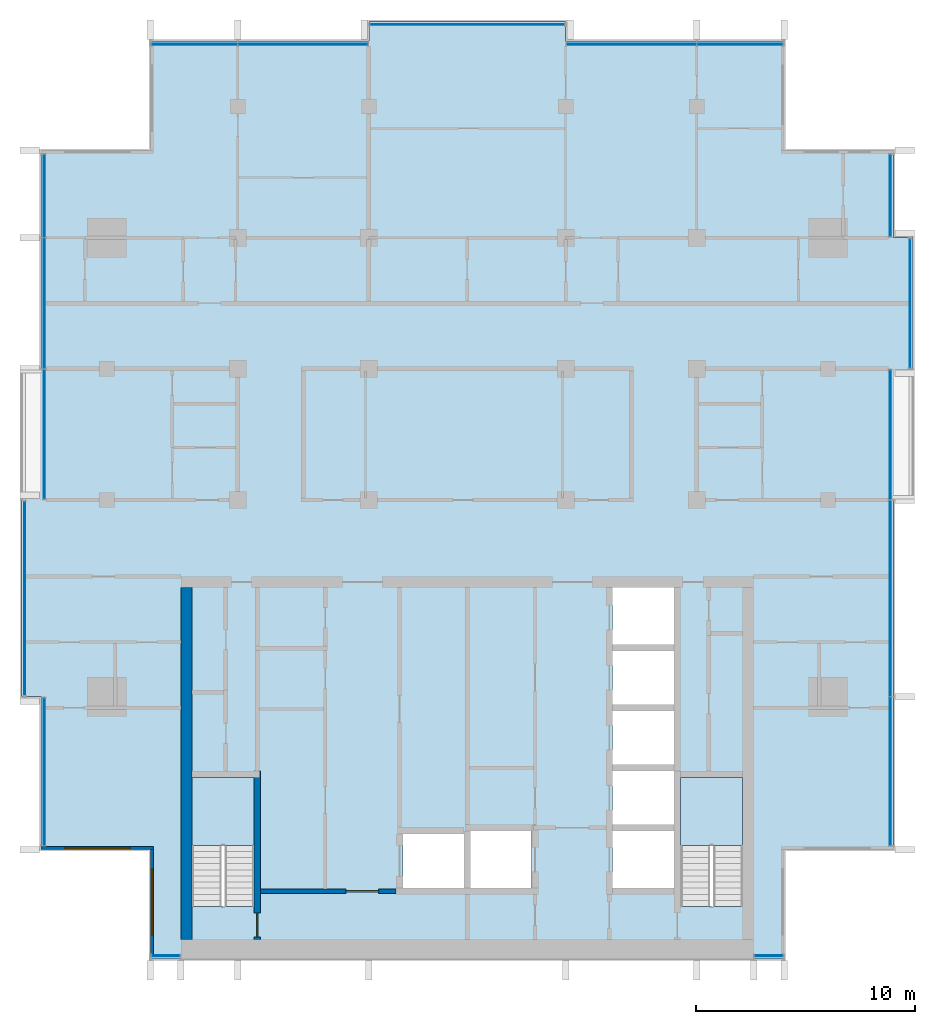
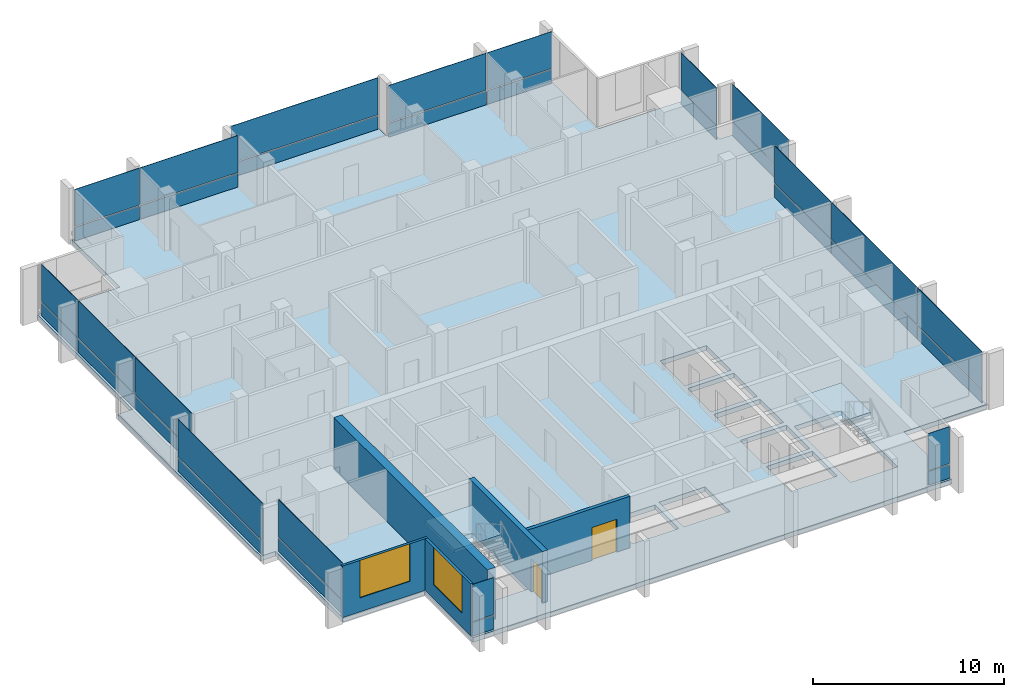
# One storey, part 6 of 16: 34 plates, 5 walls, 3 slabs, 2 doors, 2 windows, 4 openings, 13 elements without a shape of their own.
"""IFC4 building model written with IfcOpenShell, lengths in metres."""

from ifc_helpers import new_model, si_unit, direction, frame, frame_2d, origin, origin_2d, place, context, subcontext, project, spatial, polyline, rectangle, outline, extrude, material, layer, layer_set, type_object, element, fill, aggregate, save


model = new_model("IFC4")

# Units and contexts
model_context = context("Model", 3, precision=1e-05, world=origin(), true_north=direction((0.0, 1.0)))
body_context = subcontext(model_context, "Body", "Model", "MODEL_VIEW")
ifc_project = project(units=[si_unit("LENGTHUNIT", "METRE"), si_unit("AREAUNIT", "SQUARE_METRE"), si_unit("VOLUMEUNIT", "CUBIC_METRE"), si_unit("PLANEANGLEUNIT", "RADIAN"), si_unit("MASSUNIT", "GRAM", prefix="KILO")], contexts=[model_context])

# Site, building, storey
site_placement = place(None, origin())
site = spatial("IfcSite", under=ifc_project, at=site_placement, CompositionType="ELEMENT")
building_placement = place(site_placement, origin())
building = spatial("IfcBuilding", under=site, at=building_placement, Name="Finial Court Residences", CompositionType="ELEMENT")
storey_placement = place(building_placement, frame((0.0, 0.0, 287.89990234375)))
storey = spatial("IfcBuildingStorey", under=building, at=storey_placement, Name="L73", CompositionType="ELEMENT", Elevation=287.89990234375)

# Curtain wall, plates
ifc_material_1 = material(Name="Bronze anodised aluminium", Category="aluminium")
curtain_wall_type = type_object("IfcCurtainWallType", Name="Unitised curtain wall, upper zones", PredefinedType="NOTDEFINED", material=ifc_material_1)
curtain_wall_1_placement = place(storey_placement, origin())
curtain_wall_1 = element("IfcCurtainWall", 1, at=curtain_wall_1_placement, inside=storey, type_object=curtain_wall_type, Name="E-L73-CW-N1", PredefinedType="NOTDEFINED")
ifc_layer_1 = layer(ifc_material_1, 0.035888671875)
ifc_layer_set_1 = layer_set([ifc_layer_1], Name="CW2 spandrel panel 36")
plate_type_1 = type_object("IfcPlateType", Name="CW2 spandrel panel 36", PredefinedType="CURTAIN_PANEL", material=ifc_layer_set_1)
plate_1_placement = place(storey_placement, frame((-12.485107421875, 16.35009765625, 0.0), z_axis=(0.0, 0.0, 1.0), x_axis=(1.0, 0.0, 0.0)))
plate_1 = element("IfcPlate", 2, at=plate_1_placement, type_object=plate_type_1, Name="CW2 spandrel 1.1", PredefinedType="CURTAIN_PANEL", context=body_context, shape_type="SweptSolid", body=[
    extrude(rectangle(XDim=3.909912109375, YDim=0.035888671875, at=origin_2d()), origin(), (0.0, 0.0, 1.0), 0.8701171875),
])
plate_2_placement = place(storey_placement, frame((-7.514892578125, 16.35009765625, 0.0), z_axis=(0.0, 0.0, 1.0), x_axis=(1.0, 0.0, 0.0)))
plate_2 = element("IfcPlate", 3, at=plate_2_placement, type_object=plate_type_1, Name="CW2 spandrel 2.1", PredefinedType="CURTAIN_PANEL", context=body_context, shape_type="SweptSolid", body=[
    extrude(rectangle(XDim=5.909912109375, YDim=0.035888671875, at=origin_2d()), origin(), (0.0, 0.0, 1.0), 0.8701171875),
])

# Curtain wall, plate
curtain_wall_2_placement = place(storey_placement, origin())
curtain_wall_2 = element("IfcCurtainWall", 4, at=curtain_wall_2_placement, inside=storey, type_object=curtain_wall_type, Name="E-L73-CW-N2", PredefinedType="NOTDEFINED")
plate_3_placement = place(storey_placement, frame((0.0, 17.25, 0.0), z_axis=(0.0, 0.0, 1.0), x_axis=(1.0, 0.0, 0.0)))
plate_3 = element("IfcPlate", 5, at=plate_3_placement, type_object=plate_type_1, Name="CW2 spandrel 1.1", PredefinedType="CURTAIN_PANEL", context=body_context, shape_type="SweptSolid", body=[
    extrude(rectangle(XDim=8.8798828125, YDim=0.035888671875, at=origin_2d()), origin(), (0.0, 0.0, 1.0), 0.8701171875),
])

# Curtain wall, plates
curtain_wall_3_placement = place(storey_placement, origin())
curtain_wall_3 = element("IfcCurtainWall", 6, at=curtain_wall_3_placement, inside=storey, type_object=curtain_wall_type, Name="E-L73-CW-N3", PredefinedType="NOTDEFINED")
plate_4_placement = place(storey_placement, frame((7.514892578125, 16.35009765625, 0.0), z_axis=(0.0, 0.0, 1.0), x_axis=(1.0, 0.0, 0.0)))
plate_4 = element("IfcPlate", 7, at=plate_4_placement, type_object=plate_type_1, Name="CW2 spandrel 1.1", PredefinedType="CURTAIN_PANEL", context=body_context, shape_type="SweptSolid", body=[
    extrude(rectangle(XDim=5.909912109375, YDim=0.035888671875, at=origin_2d()), origin(), (0.0, 0.0, 1.0), 0.8701171875),
])
plate_5_placement = place(storey_placement, frame((12.485107421875, 16.35009765625, 0.0), z_axis=(0.0, 0.0, 1.0), x_axis=(1.0, 0.0, 0.0)))
plate_5 = element("IfcPlate", 8, at=plate_5_placement, type_object=plate_type_1, Name="CW2 spandrel 2.1", PredefinedType="CURTAIN_PANEL", context=body_context, shape_type="SweptSolid", body=[
    extrude(rectangle(XDim=3.909912109375, YDim=0.035888671875, at=origin_2d()), origin(), (0.0, 0.0, 1.0), 0.8701171875),
])

curtain_wall_4_placement = place(storey_placement, origin())
curtain_wall_4 = element("IfcCurtainWall", 9, at=curtain_wall_4_placement, inside=storey, type_object=curtain_wall_type, Name="E-L73-CW-E4", PredefinedType="NOTDEFINED")
plate_6_placement = place(storey_placement, frame((19.35009765625, -16.909912109375, 0.0), z_axis=(0.0, 0.0, 1.0), x_axis=(0.0, 1.0, 0.0)))
plate_6 = element("IfcPlate", 10, at=plate_6_placement, type_object=plate_type_1, Name="CW2 spandrel 1.1", PredefinedType="CURTAIN_PANEL", context=body_context, shape_type="SweptSolid", body=[
    extrude(rectangle(XDim=6.760009765625, YDim=0.035888671875, at=origin_2d()), origin(), (0.0, 0.0, 1.0), 0.8701171875),
])
plate_7_placement = place(storey_placement, frame((19.35009765625, -9.0, 0.0), z_axis=(0.0, 0.0, 1.0), x_axis=(0.0, 1.0, 0.0)))
plate_7 = element("IfcPlate", 11, at=plate_7_placement, type_object=plate_type_1, Name="CW2 spandrel 2.1", PredefinedType="CURTAIN_PANEL", context=body_context, shape_type="SweptSolid", body=[
    extrude(rectangle(XDim=8.93994140625, YDim=0.035888671875, at=origin_2d()), origin(), (0.0, 0.0, 1.0), 0.8701171875),
])
plate_8_placement = place(storey_placement, frame((19.35009765625, -1.514892578125, 0.0), z_axis=(0.0, 0.0, 1.0), x_axis=(0.0, 1.0, 0.0)))
plate_8 = element("IfcPlate", 12, at=plate_8_placement, type_object=plate_type_1, Name="CW2 spandrel 3.1", PredefinedType="CURTAIN_PANEL", context=body_context, shape_type="SweptSolid", body=[
    extrude(rectangle(XDim=5.909912109375, YDim=0.035888671875, at=origin_2d()), origin(), (0.0, 0.0, 1.0), 0.8701171875),
])

# Curtain wall, plate
curtain_wall_5_placement = place(storey_placement, origin())
curtain_wall_5 = element("IfcCurtainWall", 13, at=curtain_wall_5_placement, inside=storey, type_object=curtain_wall_type, Name="E-L73-CW-E5", PredefinedType="NOTDEFINED")
plate_9_placement = place(storey_placement, frame((20.25, 4.5, 0.0), z_axis=(0.0, 0.0, 1.0), x_axis=(0.0, 1.0, 0.0)))
plate_9 = element("IfcPlate", 14, at=plate_9_placement, type_object=plate_type_1, Name="CW2 spandrel 1.1", PredefinedType="CURTAIN_PANEL", context=body_context, shape_type="SweptSolid", body=[
    extrude(rectangle(XDim=5.8798828125, YDim=0.035888671875, at=origin_2d()), origin(), (0.0, 0.0, 1.0), 0.8701171875),
])

curtain_wall_6_placement = place(storey_placement, origin())
curtain_wall_6 = element("IfcCurtainWall", 15, at=curtain_wall_6_placement, inside=storey, type_object=curtain_wall_type, Name="E-L73-CW-E6", PredefinedType="NOTDEFINED")
plate_10_placement = place(storey_placement, frame((19.35009765625, 9.425048828125, 0.0), z_axis=(0.0, 0.0, 1.0), x_axis=(0.0, 1.0, 0.0)))
plate_10 = element("IfcPlate", 16, at=plate_10_placement, type_object=plate_type_1, Name="CW2 spandrel 1.1", PredefinedType="CURTAIN_PANEL", context=body_context, shape_type="SweptSolid", body=[
    extrude(rectangle(XDim=3.72998046875, YDim=0.035888671875, at=origin_2d()), origin(), (0.0, 0.0, 1.0), 0.8701171875),
])

curtain_wall_7_placement = place(storey_placement, origin())
curtain_wall_7 = element("IfcCurtainWall", 17, at=curtain_wall_7_placement, inside=storey, type_object=curtain_wall_type, Name="E-L73-CW-S7", PredefinedType="NOTDEFINED")
plate_11_placement = place(storey_placement, frame((-13.800048828125, -25.35009765625, 0.0), z_axis=(0.0, 0.0, 1.0), x_axis=(1.0, 0.0, 0.0)))
plate_11 = element("IfcPlate", 18, at=plate_11_placement, type_object=plate_type_1, Name="CW2 spandrel 1.1", PredefinedType="CURTAIN_PANEL", context=body_context, shape_type="SweptSolid", body=[
    extrude(rectangle(XDim=1.280029296875, YDim=0.035888671875, at=origin_2d()), origin(), (0.0, 0.0, 1.0), 0.8701171875),
])

curtain_wall_8_placement = place(storey_placement, origin())
curtain_wall_8 = element("IfcCurtainWall", 19, at=curtain_wall_8_placement, inside=storey, type_object=curtain_wall_type, Name="E-L73-CW-S8", PredefinedType="NOTDEFINED")
plate_12_placement = place(storey_placement, frame((13.800048828125, -25.35009765625, 0.0), z_axis=(0.0, 0.0, 1.0), x_axis=(1.0, 0.0, 0.0)))
plate_12 = element("IfcPlate", 20, at=plate_12_placement, type_object=plate_type_1, Name="CW2 spandrel 1.1", PredefinedType="CURTAIN_PANEL", context=body_context, shape_type="SweptSolid", body=[
    extrude(rectangle(XDim=1.280029296875, YDim=0.035888671875, at=origin_2d()), origin(), (0.0, 0.0, 1.0), 0.8701171875),
])

curtain_wall_9_placement = place(storey_placement, origin())
curtain_wall_9 = element("IfcCurtainWall", 21, at=curtain_wall_9_placement, inside=storey, type_object=curtain_wall_type, Name="E-L73-CW-W9", PredefinedType="NOTDEFINED")
plate_13_placement = place(storey_placement, frame((-19.35009765625, -16.925048828125, 0.0), z_axis=(0.0, 0.0, 1.0), x_axis=(0.0, 1.0, 0.0)))
plate_13 = element("IfcPlate", 22, at=plate_13_placement, type_object=plate_type_1, Name="CW2 spandrel 1.1", PredefinedType="CURTAIN_PANEL", context=body_context, shape_type="SweptSolid", body=[
    extrude(rectangle(XDim=6.72998046875, YDim=0.035888671875, at=origin_2d()), origin(), (0.0, 0.0, 1.0), 0.8701171875),
])

curtain_wall_10_placement = place(storey_placement, origin())
curtain_wall_10 = element("IfcCurtainWall", 23, at=curtain_wall_10_placement, inside=storey, type_object=curtain_wall_type, Name="E-L73-CW-W10", PredefinedType="NOTDEFINED")
plate_14_placement = place(storey_placement, frame((-20.25, -9.0, 0.0), z_axis=(0.0, 0.0, 1.0), x_axis=(0.0, 1.0, 0.0)))
plate_14 = element("IfcPlate", 24, at=plate_14_placement, type_object=plate_type_1, Name="CW2 spandrel 1.1", PredefinedType="CURTAIN_PANEL", context=body_context, shape_type="SweptSolid", body=[
    extrude(rectangle(XDim=8.8798828125, YDim=0.035888671875, at=origin_2d()), origin(), (0.0, 0.0, 1.0), 0.8701171875),
])

# Curtain wall, plates
curtain_wall_11_placement = place(storey_placement, origin())
curtain_wall_11 = element("IfcCurtainWall", 25, at=curtain_wall_11_placement, inside=storey, type_object=curtain_wall_type, Name="E-L73-CW-W11", PredefinedType="NOTDEFINED")
plate_15_placement = place(storey_placement, frame((-19.35009765625, -1.485107421875, 0.0), z_axis=(0.0, 0.0, 1.0), x_axis=(0.0, 1.0, 0.0)))
plate_15 = element("IfcPlate", 26, at=plate_15_placement, type_object=plate_type_1, Name="CW2 spandrel 1.1", PredefinedType="CURTAIN_PANEL", context=body_context, shape_type="SweptSolid", body=[
    extrude(rectangle(XDim=5.909912109375, YDim=0.035888671875, at=origin_2d()), origin(), (0.0, 0.0, 1.0), 0.8701171875),
])
plate_16_placement = place(storey_placement, frame((-19.35009765625, 4.5, 0.0), z_axis=(0.0, 0.0, 1.0), x_axis=(0.0, 1.0, 0.0)))
plate_16 = element("IfcPlate", 27, at=plate_16_placement, type_object=plate_type_1, Name="CW2 spandrel 2.1", PredefinedType="CURTAIN_PANEL", context=body_context, shape_type="SweptSolid", body=[
    extrude(rectangle(XDim=5.93994140625, YDim=0.035888671875, at=origin_2d()), origin(), (0.0, 0.0, 1.0), 0.8701171875),
])
plate_17_placement = place(storey_placement, frame((-19.35009765625, 9.409912109375, 0.0), z_axis=(0.0, 0.0, 1.0), x_axis=(0.0, 1.0, 0.0)))
plate_17 = element("IfcPlate", 28, at=plate_17_placement, type_object=plate_type_1, Name="CW2 spandrel 3.1", PredefinedType="CURTAIN_PANEL", context=body_context, shape_type="SweptSolid", body=[
    extrude(rectangle(XDim=3.760009765625, YDim=0.035888671875, at=origin_2d()), origin(), (0.0, 0.0, 1.0), 0.8701171875),
])

# Plate
ifc_material_2 = material(Name="Clear low-e glass", Category="glass")
ifc_layer_2 = layer(ifc_material_2, 0.030029296875)
ifc_layer_set_2 = layer_set([ifc_layer_2], Name="CW2 vision glass 30")
plate_type_2 = type_object("IfcPlateType", Name="CW2 vision glass 30", PredefinedType="CURTAIN_PANEL", material=ifc_layer_set_2)
plate_18_placement = place(storey_placement, frame((-12.485107421875, 16.35009765625, 0.929931640625), z_axis=(0.0, 0.0, 1.0), x_axis=(1.0, 0.0, 0.0)))
plate_18 = element("IfcPlate", 29, at=plate_18_placement, type_object=plate_type_2, Name="CW2 glass 1.2", PredefinedType="CURTAIN_PANEL", context=body_context, shape_type="SweptSolid", body=[
    extrude(rectangle(XDim=3.909912109375, YDim=0.030029296875, at=origin_2d()), origin(), (0.0, 0.0, 1.0), 2.3701171875),
])

plate_19_placement = place(storey_placement, frame((-7.514892578125, 16.35009765625, 0.929931640625), z_axis=(0.0, 0.0, 1.0), x_axis=(1.0, 0.0, 0.0)))
plate_19 = element("IfcPlate", 30, at=plate_19_placement, type_object=plate_type_2, Name="CW2 glass 2.2", PredefinedType="CURTAIN_PANEL", context=body_context, shape_type="SweptSolid", body=[
    extrude(rectangle(XDim=5.909912109375, YDim=0.030029296875, at=origin_2d()), origin(), (0.0, 0.0, 1.0), 2.3701171875),
])

aggregate(curtain_wall_1, [plate_1, plate_18, plate_2, plate_19])

plate_20_placement = place(storey_placement, frame((0.0, 17.25, 0.929931640625), z_axis=(0.0, 0.0, 1.0), x_axis=(1.0, 0.0, 0.0)))
plate_20 = element("IfcPlate", 31, at=plate_20_placement, type_object=plate_type_2, Name="CW2 glass 1.2", PredefinedType="CURTAIN_PANEL", context=body_context, shape_type="SweptSolid", body=[
    extrude(rectangle(XDim=8.8798828125, YDim=0.030029296875, at=origin_2d()), origin(), (0.0, 0.0, 1.0), 2.3701171875),
])

aggregate(curtain_wall_2, [plate_3, plate_20])

plate_21_placement = place(storey_placement, frame((7.514892578125, 16.35009765625, 0.929931640625), z_axis=(0.0, 0.0, 1.0), x_axis=(1.0, 0.0, 0.0)))
plate_21 = element("IfcPlate", 32, at=plate_21_placement, type_object=plate_type_2, Name="CW2 glass 1.2", PredefinedType="CURTAIN_PANEL", context=body_context, shape_type="SweptSolid", body=[
    extrude(rectangle(XDim=5.909912109375, YDim=0.030029296875, at=origin_2d()), origin(), (0.0, 0.0, 1.0), 2.3701171875),
])

plate_22_placement = place(storey_placement, frame((12.485107421875, 16.35009765625, 0.929931640625), z_axis=(0.0, 0.0, 1.0), x_axis=(1.0, 0.0, 0.0)))
plate_22 = element("IfcPlate", 33, at=plate_22_placement, type_object=plate_type_2, Name="CW2 glass 2.2", PredefinedType="CURTAIN_PANEL", context=body_context, shape_type="SweptSolid", body=[
    extrude(rectangle(XDim=3.909912109375, YDim=0.030029296875, at=origin_2d()), origin(), (0.0, 0.0, 1.0), 2.3701171875),
])

aggregate(curtain_wall_3, [plate_4, plate_21, plate_5, plate_22])

plate_23_placement = place(storey_placement, frame((19.35009765625, -16.909912109375, 0.929931640625), z_axis=(0.0, 0.0, 1.0), x_axis=(0.0, 1.0, 0.0)))
plate_23 = element("IfcPlate", 34, at=plate_23_placement, type_object=plate_type_2, Name="CW2 glass 1.2", PredefinedType="CURTAIN_PANEL", context=body_context, shape_type="SweptSolid", body=[
    extrude(rectangle(XDim=6.760009765625, YDim=0.030029296875, at=origin_2d()), origin(), (0.0, 0.0, 1.0), 2.3701171875),
])

plate_24_placement = place(storey_placement, frame((19.35009765625, -9.0, 0.929931640625), z_axis=(0.0, 0.0, 1.0), x_axis=(0.0, 1.0, 0.0)))
plate_24 = element("IfcPlate", 35, at=plate_24_placement, type_object=plate_type_2, Name="CW2 glass 2.2", PredefinedType="CURTAIN_PANEL", context=body_context, shape_type="SweptSolid", body=[
    extrude(rectangle(XDim=8.93994140625, YDim=0.030029296875, at=origin_2d()), origin(), (0.0, 0.0, 1.0), 2.3701171875),
])

plate_25_placement = place(storey_placement, frame((19.35009765625, -1.514892578125, 0.929931640625), z_axis=(0.0, 0.0, 1.0), x_axis=(0.0, 1.0, 0.0)))
plate_25 = element("IfcPlate", 36, at=plate_25_placement, type_object=plate_type_2, Name="CW2 glass 3.2", PredefinedType="CURTAIN_PANEL", context=body_context, shape_type="SweptSolid", body=[
    extrude(rectangle(XDim=5.909912109375, YDim=0.030029296875, at=origin_2d()), origin(), (0.0, 0.0, 1.0), 2.3701171875),
])

aggregate(curtain_wall_4, [plate_6, plate_23, plate_7, plate_24, plate_8, plate_25])

plate_26_placement = place(storey_placement, frame((20.25, 4.5, 0.929931640625), z_axis=(0.0, 0.0, 1.0), x_axis=(0.0, 1.0, 0.0)))
plate_26 = element("IfcPlate", 37, at=plate_26_placement, type_object=plate_type_2, Name="CW2 glass 1.2", PredefinedType="CURTAIN_PANEL", context=body_context, shape_type="SweptSolid", body=[
    extrude(rectangle(XDim=5.8798828125, YDim=0.030029296875, at=origin_2d()), origin(), (0.0, 0.0, 1.0), 2.3701171875),
])

aggregate(curtain_wall_5, [plate_9, plate_26])

plate_27_placement = place(storey_placement, frame((19.35009765625, 9.425048828125, 0.929931640625), z_axis=(0.0, 0.0, 1.0), x_axis=(0.0, 1.0, 0.0)))
plate_27 = element("IfcPlate", 38, at=plate_27_placement, type_object=plate_type_2, Name="CW2 glass 1.2", PredefinedType="CURTAIN_PANEL", context=body_context, shape_type="SweptSolid", body=[
    extrude(rectangle(XDim=3.72998046875, YDim=0.030029296875, at=origin_2d()), origin(), (0.0, 0.0, 1.0), 2.3701171875),
])

aggregate(curtain_wall_6, [plate_10, plate_27])

plate_28_placement = place(storey_placement, frame((-13.800048828125, -25.35009765625, 0.929931640625), z_axis=(0.0, 0.0, 1.0), x_axis=(1.0, 0.0, 0.0)))
plate_28 = element("IfcPlate", 39, at=plate_28_placement, type_object=plate_type_2, Name="CW2 glass 1.2", PredefinedType="CURTAIN_PANEL", context=body_context, shape_type="SweptSolid", body=[
    extrude(rectangle(XDim=1.280029296875, YDim=0.030029296875, at=origin_2d()), origin(), (0.0, 0.0, 1.0), 2.3701171875),
])

aggregate(curtain_wall_7, [plate_11, plate_28])

plate_29_placement = place(storey_placement, frame((13.800048828125, -25.35009765625, 0.929931640625), z_axis=(0.0, 0.0, 1.0), x_axis=(1.0, 0.0, 0.0)))
plate_29 = element("IfcPlate", 40, at=plate_29_placement, type_object=plate_type_2, Name="CW2 glass 1.2", PredefinedType="CURTAIN_PANEL", context=body_context, shape_type="SweptSolid", body=[
    extrude(rectangle(XDim=1.280029296875, YDim=0.030029296875, at=origin_2d()), origin(), (0.0, 0.0, 1.0), 2.3701171875),
])

aggregate(curtain_wall_8, [plate_12, plate_29])

plate_30_placement = place(storey_placement, frame((-19.35009765625, -16.925048828125, 0.929931640625), z_axis=(0.0, 0.0, 1.0), x_axis=(0.0, 1.0, 0.0)))
plate_30 = element("IfcPlate", 41, at=plate_30_placement, type_object=plate_type_2, Name="CW2 glass 1.2", PredefinedType="CURTAIN_PANEL", context=body_context, shape_type="SweptSolid", body=[
    extrude(rectangle(XDim=6.72998046875, YDim=0.030029296875, at=origin_2d()), origin(), (0.0, 0.0, 1.0), 2.3701171875),
])

aggregate(curtain_wall_9, [plate_13, plate_30])

plate_31_placement = place(storey_placement, frame((-20.25, -9.0, 0.929931640625), z_axis=(0.0, 0.0, 1.0), x_axis=(0.0, 1.0, 0.0)))
plate_31 = element("IfcPlate", 42, at=plate_31_placement, type_object=plate_type_2, Name="CW2 glass 1.2", PredefinedType="CURTAIN_PANEL", context=body_context, shape_type="SweptSolid", body=[
    extrude(rectangle(XDim=8.8798828125, YDim=0.030029296875, at=origin_2d()), origin(), (0.0, 0.0, 1.0), 2.3701171875),
])

aggregate(curtain_wall_10, [plate_14, plate_31])

plate_32_placement = place(storey_placement, frame((-19.35009765625, -1.485107421875, 0.929931640625), z_axis=(0.0, 0.0, 1.0), x_axis=(0.0, 1.0, 0.0)))
plate_32 = element("IfcPlate", 43, at=plate_32_placement, type_object=plate_type_2, Name="CW2 glass 1.2", PredefinedType="CURTAIN_PANEL", context=body_context, shape_type="SweptSolid", body=[
    extrude(rectangle(XDim=5.909912109375, YDim=0.030029296875, at=origin_2d()), origin(), (0.0, 0.0, 1.0), 2.3701171875),
])

plate_33_placement = place(storey_placement, frame((-19.35009765625, 4.5, 0.929931640625), z_axis=(0.0, 0.0, 1.0), x_axis=(0.0, 1.0, 0.0)))
plate_33 = element("IfcPlate", 44, at=plate_33_placement, type_object=plate_type_2, Name="CW2 glass 2.2", PredefinedType="CURTAIN_PANEL", context=body_context, shape_type="SweptSolid", body=[
    extrude(rectangle(XDim=5.93994140625, YDim=0.030029296875, at=origin_2d()), origin(), (0.0, 0.0, 1.0), 2.3701171875),
])

plate_34_placement = place(storey_placement, frame((-19.35009765625, 9.409912109375, 0.929931640625), z_axis=(0.0, 0.0, 1.0), x_axis=(0.0, 1.0, 0.0)))
plate_34 = element("IfcPlate", 45, at=plate_34_placement, type_object=plate_type_2, Name="CW2 glass 3.2", PredefinedType="CURTAIN_PANEL", context=body_context, shape_type="SweptSolid", body=[
    extrude(rectangle(XDim=3.760009765625, YDim=0.030029296875, at=origin_2d()), origin(), (0.0, 0.0, 1.0), 2.3701171875),
])

aggregate(curtain_wall_11, [plate_15, plate_32, plate_16, plate_33, plate_17, plate_34])

# Stair, slab
ifc_material_3 = material(Name="Concrete C50/60", Category="concrete")
stair_type = type_object("IfcStairType", Name="Exit stair 22 risers of 163.6 mm", PredefinedType="HALF_TURN_STAIR", material=ifc_material_3)
stair_1_placement = place(storey_placement, origin())
stair_1 = element("IfcStair", 46, at=stair_1_placement, inside=storey, type_object=stair_type, Name="L73 Exit stair ST-1", PredefinedType="HALF_TURN_STAIR")
ifc_layer_3 = layer(ifc_material_3, 0.199951171875)
ifc_layer_set_3 = layer_set([ifc_layer_3], Name="Exit stair landing")
slab_type_1 = type_object("IfcSlabType", Name="Exit stair landing", PredefinedType="LANDING", material=ifc_layer_set_3)
slab_1_placement = place(storey_placement, frame((0.0, 0.0, 1.60009765625)))
slab_1 = element("IfcSlab", 47, at=slab_1_placement, type_object=slab_type_1, Name="ST-1 landing 1", PredefinedType="LANDING", context=body_context, shape_type="SweptSolid", body=[
    extrude(outline(polyline([(-9.75, -20.300048828125), (-9.75, -17.199951171875), (-12.60009765625, -17.199951171875), (-12.60009765625, -20.300048828125), (-9.75, -20.300048828125)])), origin(), (0.0, 0.0, 1.0), 0.199951171875),
])
aggregate(stair_1, [slab_1])

stair_2_placement = place(storey_placement, origin())
stair_2 = element("IfcStair", 48, at=stair_2_placement, inside=storey, type_object=stair_type, Name="L73 Exit stair ST-2", PredefinedType="HALF_TURN_STAIR")
slab_2_placement = place(storey_placement, frame((0.0, 0.0, 1.60009765625)))
slab_2 = element("IfcSlab", 49, at=slab_2_placement, type_object=slab_type_1, Name="ST-2 landing 1", PredefinedType="LANDING", context=body_context, shape_type="SweptSolid", body=[
    extrude(outline(polyline([(12.60009765625, -20.300048828125), (12.60009765625, -17.199951171875), (9.75, -17.199951171875), (9.75, -20.300048828125), (12.60009765625, -20.300048828125)])), origin(), (0.0, 0.0, 1.0), 0.199951171875),
])
aggregate(stair_2, [slab_2])

# Slab
ifc_material_4 = material(Name="Concrete C40/50", Category="concrete")
ifc_layer_4 = layer(ifc_material_4, 0.300048828125)
ifc_layer_set_4 = layer_set([ifc_layer_4], Name="Flat plate slab 300 Concrete C40/50")
slab_type_2 = type_object("IfcSlabType", Name="Flat plate slab 300 Concrete C40/50", PredefinedType="FLOOR", material=ifc_layer_set_4)
slab_3_placement = place(storey_placement, frame((0.0, 0.0, -0.2998046875)))
element("IfcSlab", 50, at=slab_3_placement, inside=storey, type_object=slab_type_2, Name="S:SLAB:L73", PredefinedType="FLOOR", context=body_context, shape_type="SweptSolid", body=[
    extrude(outline(polyline([(-14.5, 11.5), (-14.5, 16.5), (-4.5, 16.5), (-4.5, 17.39990234375), (4.5, 17.39990234375), (4.5, 16.5), (14.5, 16.5), (14.5, 11.5), (19.5, 11.5), (19.5, 7.5), (20.39990234375, 7.5), (20.39990234375, 1.5), (20.39990234375, -4.5), (19.5, -4.5), (19.5, -20.5), (14.5, -20.5), (14.5, -25.5), (-14.5, -25.5), (-14.5, -20.5), (-19.5, -20.5), (-19.5, -13.5), (-20.39990234375, -13.5), (-20.39990234375, -4.5), (-20.39990234375, 1.5), (-19.5, 1.5), (-19.5, 11.5), (-14.5, 11.5)]), holes=[polyline([(-0.14990234375, -19.77001953125), (-2.949951171875, -19.77001953125), (-2.949951171875, -22.25), (-0.14990234375, -22.25), (-0.14990234375, -19.77001953125)]), polyline([(2.949951171875, -19.64990234375), (0.14990234375, -19.64990234375), (0.14990234375, -22.25), (2.949951171875, -22.25), (2.949951171875, -19.64990234375)]), polyline([(9.449951171875, -19.64990234375), (6.64990234375, -19.64990234375), (6.64990234375, -22.25), (9.449951171875, -22.25), (9.449951171875, -19.64990234375)]), polyline([(-12.60009765625, -17.199951171875), (-12.60009765625, -23.09912109375), (-9.75, -23.09912109375), (-9.75, -17.199951171875), (-12.60009765625, -17.199951171875)]), polyline([(9.75, -17.199951171875), (9.75, -23.09912109375), (12.60009765625, -23.09912109375), (12.60009765625, -17.199951171875), (9.75, -17.199951171875)]), polyline([(9.449951171875, -16.89990234375), (6.64990234375, -16.89990234375), (6.64990234375, -19.35009765625), (9.449951171875, -19.35009765625), (9.449951171875, -16.89990234375)]), polyline([(9.449951171875, -14.14990234375), (6.64990234375, -14.14990234375), (6.64990234375, -16.60009765625), (9.449951171875, -16.60009765625), (9.449951171875, -14.14990234375)]), polyline([(9.449951171875, -13.85009765625), (9.449951171875, -11.39990234375), (6.64990234375, -11.39990234375), (6.64990234375, -13.85009765625), (9.449951171875, -13.85009765625)]), polyline([(9.449951171875, -11.10009765625), (9.449951171875, -8.5), (6.64990234375, -8.5), (6.64990234375, -11.10009765625), (9.449951171875, -11.10009765625)])]), origin(), (0.0, 0.0, 1.0), 0.2998046875),
])

# Wall
ifc_layer_5 = layer(ifc_material_3, 0.5)
ifc_layer_set_5 = layer_set([ifc_layer_5], Name="Core outer wall 500 Concrete C50/60")
wall_type_1 = type_object("IfcWallType", Name="Core outer wall 500 Concrete C50/60", PredefinedType="SHEAR", material=ifc_layer_set_5)
wall_1_placement = place(storey_placement, frame((-12.85009765625, -24.60009765625, 0.0), z_axis=(0.0, 0.0, 1.0), x_axis=(0.0, 1.0, 0.0)))
element("IfcWall", 51, at=wall_1_placement, inside=storey, type_object=wall_type_1, Name="Core outer wall L73-03", PredefinedType="SHEAR", context=body_context, shape_type="SweptSolid", body=[
    extrude(rectangle(XDim=16.10009765625, YDim=0.5, at=frame_2d((8.050048828125, 0.0))), origin(), (0.0, 0.0, 1.0), 3.300048828125),
])

# Wall, opening, door
ifc_layer_6 = layer(ifc_material_3, 0.300048828125)
ifc_layer_set_6 = layer_set([ifc_layer_6], Name="Lift shaft and stair wall 300 Concrete C50/60")
wall_type_2 = type_object("IfcWallType", Name="Lift shaft and stair wall 300 Concrete C50/60", PredefinedType="SHEAR", material=ifc_layer_set_6)
wall_2_placement = place(storey_placement, frame((-9.60009765625, -24.60009765625, 0.0), z_axis=(0.0, 0.0, 1.0), x_axis=(0.0, 1.0, 0.0)))
wall_2 = element("IfcWall", 52, at=wall_2_placement, inside=storey, type_object=wall_type_2, Name="Core wall L73-20", PredefinedType="SHEAR", context=body_context, shape_type="SweptSolid", body=[
    extrude(rectangle(XDim=7.7001953125, YDim=0.300048828125, at=frame_2d((3.85009765625, 0.0))), origin(), (0.0, 0.0, 1.0), 3.300048828125),
])
opening_1_placement = place(wall_2_placement, frame((0.10009765625, 0.0, 0.0)))
opening_1 = element("IfcOpeningElement", 53, at=opening_1_placement, cuts=wall_2, Name="Opening L73-C19", PredefinedType="OPENING", context=body_context, shape_type="SweptSolid", body=[
    extrude(rectangle(XDim=1.10009765625, YDim=2.10009765625, at=frame_2d((0.550048828125, 1.050048828125))), frame((0.0, 0.159912109375, 0.0), z_axis=(0.0, -1.0, 0.0), x_axis=(1.0, 0.0, 0.0)), (0.0, 0.0, 1.0), 0.320068359375),
])
ifc_material_5 = material(Name="Steel fire door", Category="steel")
door_type_1 = type_object("IfcDoorType", Name="Stair door 1100 x 2100 EI 90", OperationType="NOTDEFINED", PredefinedType="DOOR", material=ifc_material_5)
door_1_placement = place(opening_1_placement, origin())
door_1 = element("IfcDoor", 54, at=door_1_placement, inside=storey, type_object=door_type_1, Name="Stair door L73-C19", OperationType="SINGLE_SWING_LEFT", OverallHeight=2.10009765625, OverallWidth=1.10009765625, PredefinedType="DOOR", context=body_context, shape_type="SweptSolid", body=[
    extrude(rectangle(XDim=1.10009765625, YDim=2.10009765625, at=frame_2d((0.550048828125, 1.050048828125))), frame((0.0, 0.02490234375, 0.0), z_axis=(0.0, -1.0, 0.0), x_axis=(1.0, 0.0, 0.0)), (0.0, 0.0, 1.0), 0.050048828125),
])
fill(opening_1, door_1)

# Wall, opening, window
ifc_material_6 = material(Name="Natural limestone", Category="masonry")
ifc_layer_7 = layer(ifc_material_6, 0.14990234375)
ifc_layer_set_7 = layer_set([ifc_layer_7], Name="Limestone clad wall 150")
wall_type_3 = type_object("IfcWallType", Name="Limestone clad wall 150", PredefinedType="SOLIDWALL", material=ifc_layer_set_7)
wall_3_placement = place(storey_placement, frame((-14.425048828125, -25.262451171875, 0.0), z_axis=(0.0, 0.0, 1.0), x_axis=(0.0, 1.0, 0.0)))
wall_3 = element("IfcWall", 55, at=wall_3_placement, inside=storey, type_object=wall_type_3, Name="E-L73-NWW12", PredefinedType="SOLIDWALL", context=body_context, shape_type="SweptSolid", body=[
    extrude(rectangle(XDim=4.762451171875, YDim=0.14990234375, at=frame_2d((2.38134765625, 0.0))), origin(), (0.0, 0.0, 1.0), 3.300048828125),
])
opening_2_placement = place(wall_3_placement, frame((0.881103515625, 0.0, 0.89990234375)))
opening_2 = element("IfcOpeningElement", 56, at=opening_2_placement, cuts=wall_3, Name="Opening WE73-01", PredefinedType="OPENING", context=body_context, shape_type="SweptSolid", body=[
    extrude(rectangle(XDim=3.0, YDim=2.39990234375, at=frame_2d((1.5, 1.199951171875))), frame((0.0, 0.0849609375, 0.0), z_axis=(0.0, -1.0, 0.0), x_axis=(1.0, 0.0, 0.0)), (0.0, 0.0, 1.0), 0.169921875),
])
window_type = type_object("IfcWindowType", Name="Corner window 3000 x 2400", PartitioningType="SINGLE_PANEL", PredefinedType="WINDOW", material=ifc_material_2)
window_1_placement = place(opening_2_placement, origin())
window_1 = element("IfcWindow", 57, at=window_1_placement, inside=storey, type_object=window_type, Name="E-L73-NWW12-W1", OverallHeight=2.39990234375, OverallWidth=3.0, PartitioningType="SINGLE_PANEL", PredefinedType="WINDOW", context=body_context, shape_type="SweptSolid", body=[
    extrude(rectangle(XDim=3.0, YDim=2.39990234375, at=frame_2d((1.5, 1.199951171875))), frame((0.0, 0.030029296875, 0.0), z_axis=(0.0, -1.0, 0.0), x_axis=(1.0, 0.0, 0.0)), (0.0, 0.0, 1.0), 0.06005859375),
])
fill(opening_2, window_1)

wall_4_placement = place(storey_placement, frame((-14.35009765625, -20.425048828125, 0.0), z_axis=(0.0, 0.0, 1.0), x_axis=(-1.0, 0.0, 0.0)))
wall_4 = element("IfcWall", 58, at=wall_4_placement, inside=storey, type_object=wall_type_3, Name="E-L73-NWS13", PredefinedType="SOLIDWALL", context=body_context, shape_type="SweptSolid", body=[
    extrude(rectangle(XDim=5.14990234375, YDim=0.14990234375, at=frame_2d((2.574951171875, 0.0))), origin(), (0.0, 0.0, 1.0), 3.300048828125),
])
opening_3_placement = place(wall_4_placement, frame((1.074951171875, 0.0, 0.89990234375)))
opening_3 = element("IfcOpeningElement", 59, at=opening_3_placement, cuts=wall_4, Name="Opening WE73-02", PredefinedType="OPENING", context=body_context, shape_type="SweptSolid", body=[
    extrude(rectangle(XDim=3.0, YDim=2.39990234375, at=frame_2d((1.5, 1.199951171875))), frame((0.0, 0.0849609375, 0.0), z_axis=(0.0, -1.0, 0.0), x_axis=(1.0, 0.0, 0.0)), (0.0, 0.0, 1.0), 0.169921875),
])
window_2_placement = place(opening_3_placement, origin())
window_2 = element("IfcWindow", 60, at=window_2_placement, inside=storey, type_object=window_type, Name="E-L73-NWS13-W1", OverallHeight=2.39990234375, OverallWidth=3.0, PartitioningType="SINGLE_PANEL", PredefinedType="WINDOW", context=body_context, shape_type="SweptSolid", body=[
    extrude(rectangle(XDim=3.0, YDim=2.39990234375, at=frame_2d((1.5, 1.199951171875))), frame((0.0, 0.030029296875, 0.0), z_axis=(0.0, -1.0, 0.0), x_axis=(1.0, 0.0, 0.0)), (0.0, 0.0, 1.0), 0.06005859375),
])
fill(opening_3, window_2)

# Wall, opening, door
ifc_material_7 = material(Name="Fire-rated gypsum board partition")
ifc_layer_8 = layer(ifc_material_7, 0.199951171875)
ifc_layer_set_8 = layer_set([ifc_layer_8], Name="Stair passage wall 200 EI 180")
wall_type_4 = type_object("IfcWallType", Name="Stair passage wall 200 EI 180", PredefinedType="PARTITIONING", material=ifc_layer_set_8)
wall_5_placement = place(storey_placement, frame((-3.25, -22.39990234375, 0.0), z_axis=(0.0, 0.0, 1.0), x_axis=(-1.0, 0.0, 0.0)))
wall_5 = element("IfcWall", 61, at=wall_5_placement, inside=storey, type_object=wall_type_4, Name="Core partition L73-01", PredefinedType="PARTITIONING", context=body_context, shape_type="SweptSolid", body=[
    extrude(rectangle(XDim=6.199951171875, YDim=0.199951171875, at=frame_2d((3.10009765625, 0.0))), origin(), (0.0, 0.0, 1.0), 3.300048828125),
])
opening_4_placement = place(wall_5_placement, frame((0.800048828125, 0.0, 0.0)))
opening_4 = element("IfcOpeningElement", 62, at=opening_4_placement, cuts=wall_5, Name="Opening L73-C03", PredefinedType="OPENING", context=body_context, shape_type="SweptSolid", body=[
    extrude(rectangle(XDim=1.5, YDim=2.10009765625, at=frame_2d((0.75, 1.050048828125))), frame((0.0, 0.10986328125, 0.0), z_axis=(0.0, -1.0, 0.0), x_axis=(1.0, 0.0, 0.0)), (0.0, 0.0, 1.0), 0.219970703125),
])
door_type_2 = type_object("IfcDoorType", Name="Lift lobby door 1500 x 2100 EI 60", OperationType="DOUBLE_DOOR_SINGLE_SWING", PredefinedType="DOOR", material=ifc_material_5)
door_2_placement = place(opening_4_placement, origin())
door_2 = element("IfcDoor", 63, at=door_2_placement, inside=storey, type_object=door_type_2, Name="Lift lobby door L73-C03", OperationType="DOUBLE_DOOR_SINGLE_SWING", OverallHeight=2.10009765625, OverallWidth=1.5, PredefinedType="DOOR", context=body_context, shape_type="SweptSolid", body=[
    extrude(rectangle(XDim=1.5, YDim=2.10009765625, at=frame_2d((0.75, 1.050048828125))), frame((0.0, 0.02490234375, 0.0), z_axis=(0.0, -1.0, 0.0), x_axis=(1.0, 0.0, 0.0)), (0.0, 0.0, 1.0), 0.050048828125),
])
fill(opening_4, door_2)

save(model, "model.ifc")
